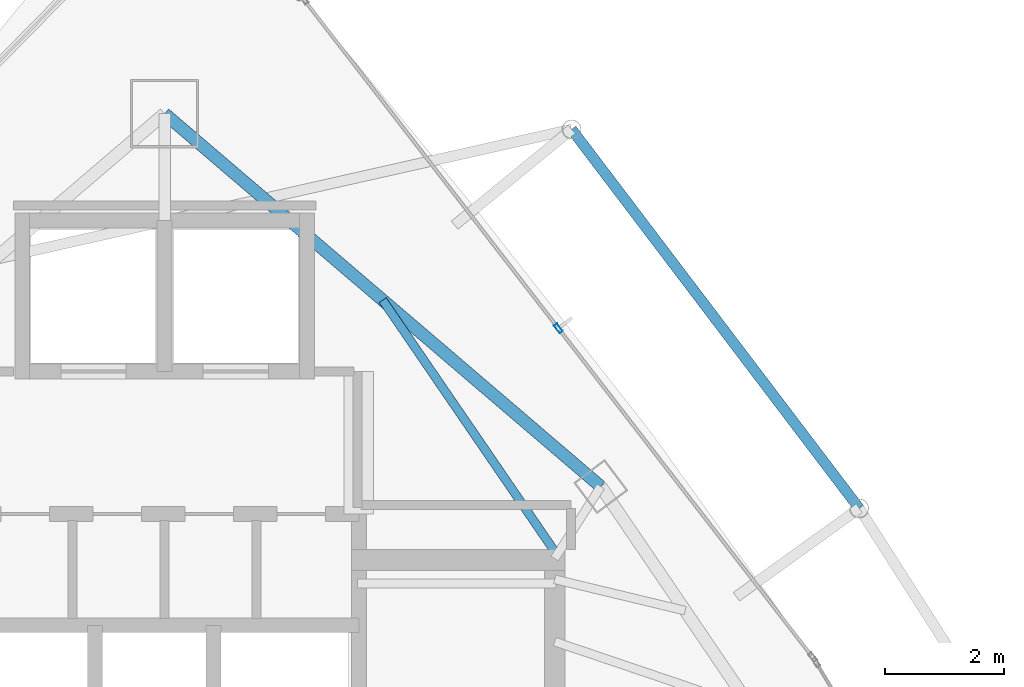
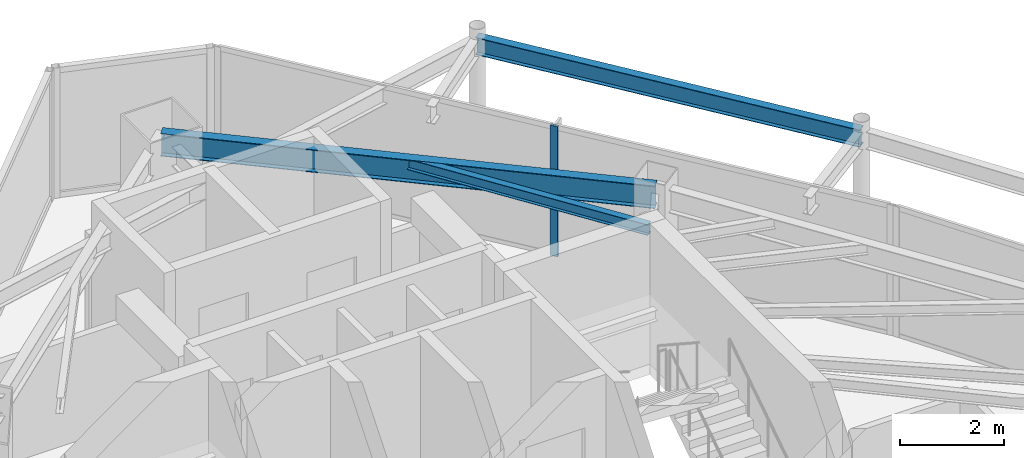
# One storey, part 23 of 30: 3 beams, 1 member, 1 element without a shape of its own.
"""IFC4 building model written with IfcOpenShell, lengths in metres."""

from ifc_helpers import new_model, si_unit, direction, frame, origin, origin_2d, place, context, subcontext, project, spatial, hollow_rectangle, i_section, extrude, material, layer, layer_set, material_profile, profile_set, type_object, element, aggregate, save


model = new_model("IFC4")

# Units and contexts
model_context = context("Model", 3, precision=1e-05, world=origin(), true_north=direction((0.0, 1.0)))
body_context = subcontext(model_context, "Body", "Model", "MODEL_VIEW")
ifc_project = project(units=[si_unit("LENGTHUNIT", "METRE"), si_unit("AREAUNIT", "SQUARE_METRE"), si_unit("VOLUMEUNIT", "CUBIC_METRE"), si_unit("PLANEANGLEUNIT", "RADIAN"), si_unit("MASSUNIT", "GRAM", prefix="KILO")], contexts=[model_context])

# Site, building, storey
site_placement = place(None, origin())
site = spatial("IfcSite", under=ifc_project, at=site_placement, CompositionType="ELEMENT")
building_placement = place(site_placement, origin())
building = spatial("IfcBuilding", under=site, at=building_placement, Name="Orvanel Arch Residences", CompositionType="ELEMENT")
storey_placement = place(building_placement, frame((0.0, 0.0, 270.050048828125)))
storey = spatial("IfcBuildingStorey", under=building, at=storey_placement, Name="L77", CompositionType="ELEMENT", Elevation=270.050048828125)

# Beam
ifc_material_1 = material(Name="Structural steel AS/NZS 3679.1 Grade 300 (300 MPa)", Category="steel")
ifc_material_profile_1 = material_profile(ifc_material_1, i_section(OverallWidth=0.14599609375, OverallDepth=0.251953125, WebThickness=0.006103515625, FlangeThickness=0.008544921875, at=origin_2d()), Name="250UB31.4")
ifc_profile_set_1 = profile_set([ifc_material_profile_1], Name="Structural steel AS/NZS 3679.1 Grade 300 (300 MPa)")
beam_type_1 = type_object("IfcBeamType", Name="BJ-250UB", PredefinedType="JOIST", material=ifc_profile_set_1)
beam_1_placement = place(storey_placement, frame((39.574951171875, 34.02001953125, 2.933837890625), z_axis=(-0.564868085352, 0.825181220188, 0.0), x_axis=(-0.825181220188, -0.564868085352, 0.0)))
element("IfcBeam", 1, at=beam_1_placement, inside=storey, type_object=beam_type_1, Name="L77 NNE2 Wing Floor Joist", PredefinedType="JOIST", context=body_context, shape_type="SweptSolid", body=[
    extrude(i_section(OverallWidth=0.14599609375, OverallDepth=0.251953125, WebThickness=0.006103515625, FlangeThickness=0.008544921875, at=origin_2d()), origin(), (0.0, 0.0, 1.0), 5.132080078125),
])

# Curtain wall, member
ifc_material_2 = material(Name="Bronze-anodised aluminium AA6063-T6", Category="aluminium")
ifc_layer = layer(ifc_material_2, 0.175048828125)
ifc_layer_set = layer_set([ifc_layer], Name="Bronze-anodised aluminium AA6063-T6")
curtain_wall_type = type_object("IfcCurtainWallType", Name="CW4-HI-SYS", PredefinedType="NOTDEFINED", material=ifc_layer_set)
curtain_wall_placement = place(storey_placement, origin())
curtain_wall = element("IfcCurtainWall", 2, at=curtain_wall_placement, inside=storey, type_object=curtain_wall_type, Name="L77 CW4-HI-SYS Unitised Curtain Wall", PredefinedType="NOTDEFINED")
ifc_material_profile_2 = material_profile(ifc_material_2, hollow_rectangle(XDim=0.06494140625, YDim=0.159912109375, WallThickness=0.00390625, at=origin_2d()), Name="ALU160x65x4")
ifc_profile_set_2 = profile_set([ifc_material_profile_2], Name="Bronze-anodised aluminium AA6063-T6")
member_type = type_object("IfcMemberType", Name="MUL-160x65", PredefinedType="MULLION", material=ifc_profile_set_2)
member_placement = place(storey_placement, frame((39.637451171875, 37.779052734375, 0.0), z_axis=(0.0, 0.0, 1.0), x_axis=(-0.791013108385, -0.611799201016, 0.0)))
member = element("IfcMember", 3, at=member_placement, type_object=member_type, Name="CW-S4 mullion 2", PredefinedType="MULLION", context=body_context, shape_type="SweptSolid", body=[
    extrude(hollow_rectangle(XDim=0.06494140625, YDim=0.159912109375, WallThickness=0.00390625, at=origin_2d()), origin(), (0.0, 0.0, 1.0), 3.06005859375),
])
aggregate(curtain_wall, [member])

# Beams
ifc_material_profile_3 = material_profile(ifc_material_1, i_section(OverallWidth=0.177978515625, OverallDepth=0.406005859375, WebThickness=0.0078125, FlangeThickness=0.0126953125, at=origin_2d()), Name="410UB59.7")
ifc_profile_set_3 = profile_set([ifc_material_profile_3], Name="Structural steel AS/NZS 3679.1 Grade 300 (300 MPa)")
beam_type_2 = type_object("IfcBeamType", Name="OB-410UB-EXT", PredefinedType="SPANDREL", material=ifc_profile_set_3)
beam_2_placement = place(storey_placement, frame((44.7080078125, 34.7451171875, 2.85693359375), z_axis=(-0.604476423474, 0.796623030965, 0.0), x_axis=(-0.796623030965, -0.604476423474, 0.0)))
element("IfcBeam", 4, at=beam_2_placement, inside=storey, type_object=beam_type_2, Name="L77 Outer Perimeter Floor Ring Beam 11", PredefinedType="SPANDREL", context=body_context, shape_type="SweptSolid", body=[
    extrude(i_section(OverallWidth=0.177978515625, OverallDepth=0.406005859375, WebThickness=0.0078125, FlangeThickness=0.0126953125, at=origin_2d()), origin(), (0.0, 0.0, 1.0), 8.02001953125),
])
ifc_material_profile_4 = material_profile(ifc_material_1, i_section(OverallWidth=0.208984375, OverallDepth=0.532958984375, WebThickness=0.01025390625, FlangeThickness=0.015625, at=origin_2d()), Name="530UB92.4")
ifc_profile_set_4 = profile_set([ifc_material_profile_4], Name="Structural steel AS/NZS 3679.1 Grade 300 (300 MPa)")
beam_type_3 = type_object("IfcBeamType", Name="SP-530UB", PredefinedType="SPANDREL", material=ifc_profile_set_4)
beam_3_placement = place(storey_placement, frame((40.35205078125, 35.113037109375, 2.7939453125), z_axis=(-0.760116518398, 0.649786794617, 0.0), x_axis=(-0.649786794617, -0.760116518398, 0.0)))
element("IfcBeam", 5, at=beam_3_placement, inside=storey, type_object=beam_type_3, Name="L77 Perimeter Spandrel Beam 09", PredefinedType="SPANDREL", context=body_context, shape_type="SweptSolid", body=[
    extrude(i_section(OverallWidth=0.208984375, OverallDepth=0.532958984375, WebThickness=0.01025390625, FlangeThickness=0.015625, at=origin_2d()), origin(), (0.0, 0.0, 1.0), 9.67236328125),
])

save(model, "model.ifc")
